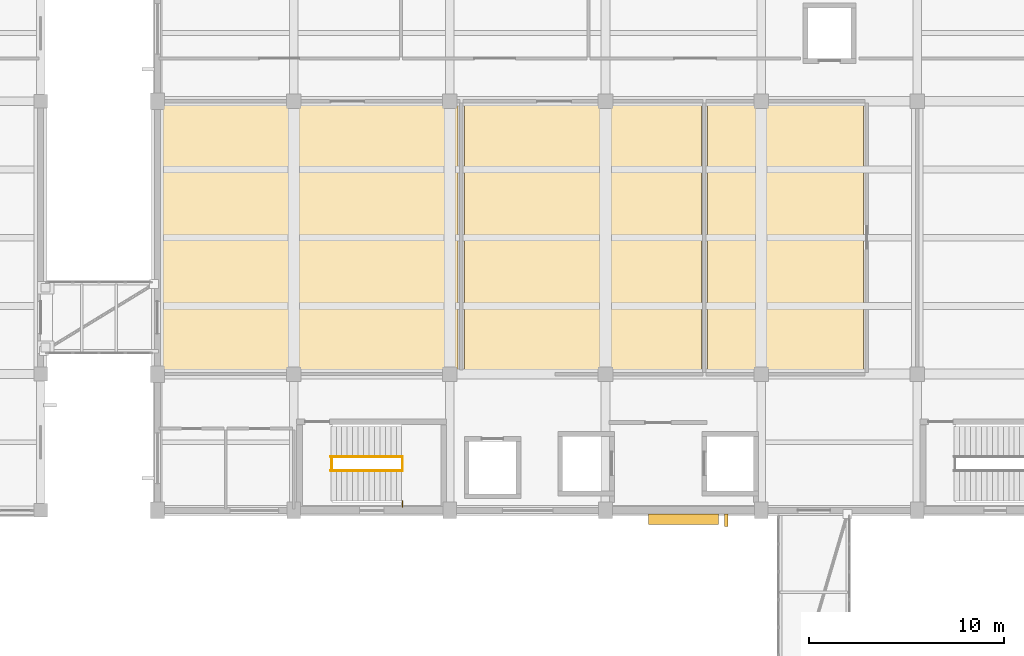
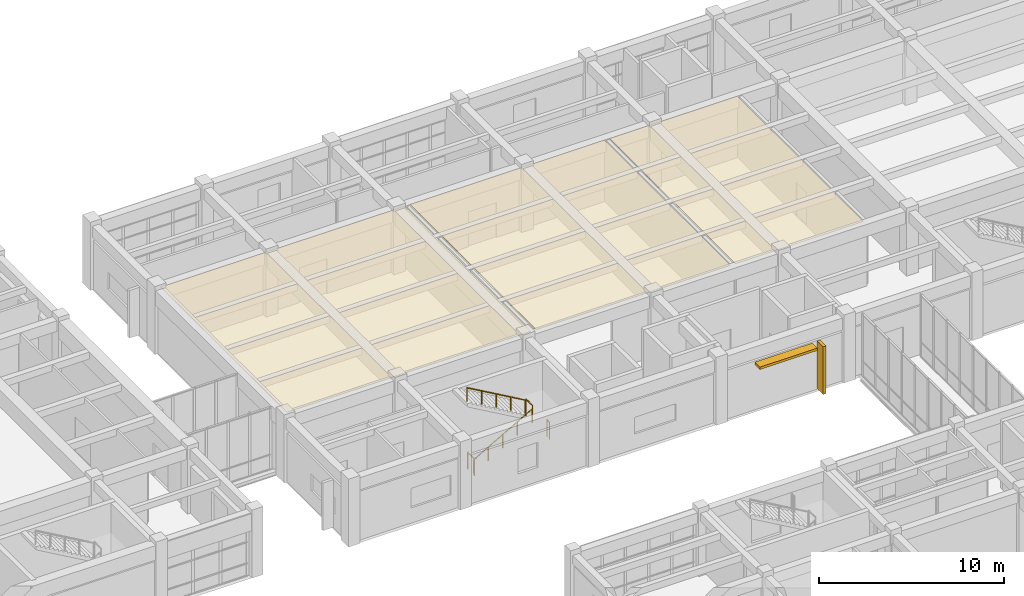
# One storey, part 66 of 70: 5 railings, 3 coverings, 2 shading devices.
"""IFC4 building model written with IfcOpenShell, lengths in metres."""

from ifc_helpers import new_model, si_unit, direction, frame, origin, origin_2d, place, context, subcontext, project, spatial, polyline, rectangle, circle, outline, extrude, material, layer, layer_set, type_object, element, save


model = new_model("IFC4")

# Units and contexts
model_context = context("Model", 3, precision=1e-05, world=origin(), true_north=direction((0.0, 1.0)))
body_context = subcontext(model_context, "Body", "Model", "MODEL_VIEW")
ifc_project = project(units=[si_unit("LENGTHUNIT", "METRE"), si_unit("AREAUNIT", "SQUARE_METRE"), si_unit("VOLUMEUNIT", "CUBIC_METRE"), si_unit("PLANEANGLEUNIT", "RADIAN"), si_unit("MASSUNIT", "GRAM", prefix="KILO")], contexts=[model_context])

# Site, building, storey
site_placement = place(None, origin())
site = spatial("IfcSite", under=ifc_project, at=site_placement, CompositionType="ELEMENT")
building_placement = place(site_placement, origin())
building = spatial("IfcBuilding", under=site, at=building_placement, Name="Naurynzar Civic Courthouse", CompositionType="ELEMENT")
storey_placement = place(building_placement, frame((0.0, 0.0, 5.39990234375)))
storey = spatial("IfcBuildingStorey", under=building, at=storey_placement, Name="L02", CompositionType="ELEMENT", Elevation=5.39990234375)

# Coverings
ifc_material_1 = material(Name="Acoustic Oak Timber Grade A", Category="wood")
ifc_layer_1 = layer(ifc_material_1, 0.044921875)
ifc_layer_set_1 = layer_set([ifc_layer_1], Name="CEIL-ACOUSTIC-OAK-45")
covering_type_1 = type_object("IfcCoveringType", Name="CEIL-ACOUSTIC-OAK-45", PredefinedType="CEILING", material=ifc_layer_set_1)
covering_1_placement = place(storey_placement, frame((0.0, 0.0, 4.114990234375)))
element("IfcCovering", 1, at=covering_1_placement, inside=storey, type_object=covering_type_1, Name="Acoustic suspended ceiling Civil Jury Courtroom 2A", PredefinedType="CEILING", context=body_context, shape_type="SweptSolid", body=[
    extrude(outline(polyline([(77.43994140625, 51.159912109375), (62.159912109375, 51.159912109375), (62.159912109375, 64.840087890625), (77.43994140625, 64.840087890625), (77.43994140625, 51.159912109375)])), origin(), (0.0, 0.0, 1.0), 0.045166015625),
])
covering_2_placement = place(storey_placement, frame((0.0, 0.0, 4.114990234375)))
element("IfcCovering", 2, at=covering_2_placement, inside=storey, type_object=covering_type_1, Name="Acoustic suspended ceiling Civil Trial Courtroom 2B", PredefinedType="CEILING", context=body_context, shape_type="SweptSolid", body=[
    extrude(outline(polyline([(89.919921875, 51.159912109375), (77.760009765625, 51.159912109375), (77.760009765625, 64.840087890625), (89.919921875, 64.840087890625), (89.919921875, 51.159912109375)])), origin(), (0.0, 0.0, 1.0), 0.045166015625),
])
ifc_material_2 = material(Name="Mineral Fibre Acoustic Ceiling")
ifc_layer_2 = layer(ifc_material_2, 0.030029296875)
ifc_layer_set_2 = layer_set([ifc_layer_2], Name="CEIL-MINERAL-30")
covering_type_2 = type_object("IfcCoveringType", Name="CEIL-MINERAL-30", PredefinedType="CEILING", material=ifc_layer_set_2)
covering_3_placement = place(storey_placement, frame((0.0, 0.0, 4.114990234375)))
element("IfcCovering", 3, at=covering_3_placement, inside=storey, type_object=covering_type_2, Name="Acoustic suspended ceiling Jury Room 2A", PredefinedType="CEILING", context=body_context, shape_type="SweptSolid", body=[
    extrude(outline(polyline([(98.239990234375, 51.159912109375), (90.239990234375, 51.159912109375), (90.239990234375, 64.840087890625), (98.239990234375, 64.840087890625), (98.239990234375, 51.159912109375)])), origin(), (0.0, 0.0, 1.0), 0.030029296875),
])

# Railings
ifc_material_3 = material(Name="Brushed Stainless Steel 304", Category="steel")
railing_type_1 = type_object("IfcRailingType", Name="RAIL-BAL-1100", PredefinedType="BALUSTRADE", material=ifc_material_3)
for number, where, name in (
    (4, (70.93994140625, 46.0400390625, 0.0), "Stair ST-V2A floor well slot guard L02"),
    (5, (74.580078125, 46.0400390625, 2.25), "Stair ST-V2A-L02 half-landing well guard"),
):
    element("IfcRailing", number, at=place(storey_placement, frame(where)), inside=storey, type_object=railing_type_1, Name=name, PredefinedType="BALUSTRADE", context=body_context, shape_type="SweptSolid", body=[
        extrude(circle(Radius=0.02392578125, at=origin_2d()), frame((0.0, 0.0, 1.09619140625), z_axis=(0.0, 1.0, 0.0), x_axis=(-1.0, 0.0, 0.0)), (0.0, 0.0, 1.0), 0.719970703125),
        extrude(circle(Radius=0.02099609375, at=origin_2d()), origin(), (0.0, 0.0, 1.0), 1.072021484375),
        extrude(circle(Radius=0.02099609375, at=origin_2d()), frame((0.0, 0.719970703125, 0.0)), (0.0, 0.0, 1.0), 1.072021484375),
    ])
railing_1_placement = place(storey_placement, frame((74.580078125, 44.195068359375, 2.25)))
element("IfcRailing", 6, at=railing_1_placement, inside=storey, type_object=railing_type_1, Name="Stair ST-V2A-L02 half-landing south slot guard", PredefinedType="BALUSTRADE", context=body_context, shape_type="SweptSolid", body=[
    extrude(circle(Radius=0.02392578125, at=origin_2d()), frame((0.0, 0.0, 1.09619140625), z_axis=(0.0, 1.0, 0.0), x_axis=(-1.0, 0.0, 0.0)), (0.0, 0.0, 1.0), 0.284912109375),
    extrude(circle(Radius=0.02099609375, at=origin_2d()), origin(), (0.0, 0.0, 1.0), 1.072021484375),
    extrude(circle(Radius=0.02099609375, at=origin_2d()), frame((0.0, 0.284912109375, 0.0)), (0.0, 0.0, 1.0), 1.072021484375),
])
ifc_material_4 = material(Name="Brushed Stainless Steel 304", Category="steel")
railing_type_2 = type_object("IfcRailingType", Name="RAIL-HR-900", PredefinedType="HANDRAIL", material=ifc_material_4)
railing_2_placement = place(storey_placement, frame((70.89990234375, 46.0400390625, 0.160888671875)))
element("IfcRailing", 7, at=railing_2_placement, inside=storey, type_object=railing_type_2, Name="Stair ST-V2A-L02 flight 1 handrail", PredefinedType="HANDRAIL", context=body_context, shape_type="SweptSolid", body=[
    extrude(circle(Radius=0.02392578125, at=origin_2d()), frame((0.0, 0.0, 0.8759765625), z_axis=(0.867314486057, 0.0, 0.497760567216), x_axis=(0.0, 1.0, 0.0)), (0.0, 0.0, 1.0), 4.197021484375),
    extrude(circle(Radius=0.02099609375, at=origin_2d()), origin(), (0.0, 0.0, 1.0), 0.851806640625),
    extrude(circle(Radius=0.02099609375, at=origin_2d()), frame((0.91015625, 0.0, 0.522216796875)), (0.0, 0.0, 1.0), 0.851806640625),
    extrude(circle(Radius=0.02099609375, at=origin_2d()), frame((1.820068359375, 0.0, 1.04443359375)), (0.0, 0.0, 1.0), 0.851806640625),
    extrude(circle(Radius=0.02099609375, at=origin_2d()), frame((2.72998046875, 0.0, 1.56689453125)), (0.0, 0.0, 1.0), 0.851806640625),
    extrude(circle(Radius=0.02099609375, at=origin_2d()), frame((3.64013671875, 0.0, 2.089111328125)), (0.0, 0.0, 1.0), 0.851806640625),
])
railing_3_placement = place(storey_placement, frame((74.5400390625, 46.760009765625, 2.410888671875)))
element("IfcRailing", 8, at=railing_3_placement, inside=storey, type_object=railing_type_2, Name="Stair ST-V2A-L02 flight 2 handrail", PredefinedType="HANDRAIL", context=body_context, shape_type="SweptSolid", body=[
    extrude(circle(Radius=0.02392578125, at=origin_2d()), frame((0.0, 0.0, 0.8759765625), z_axis=(-0.867314486057, 0.0, 0.497760567216), x_axis=(0.0, -1.0, 0.0)), (0.0, 0.0, 1.0), 4.197021484375),
    extrude(circle(Radius=0.02099609375, at=origin_2d()), origin(), (0.0, 0.0, 1.0), 0.851806640625),
    extrude(circle(Radius=0.02099609375, at=origin_2d()), frame((-0.91015625, 0.0, 0.522216796875)), (0.0, 0.0, 1.0), 0.851806640625),
    extrude(circle(Radius=0.02099609375, at=origin_2d()), frame((-1.820068359375, 0.0, 1.04443359375)), (0.0, 0.0, 1.0), 0.851806640625),
    extrude(circle(Radius=0.02099609375, at=origin_2d()), frame((-2.72998046875, 0.0, 1.56689453125)), (0.0, 0.0, 1.0), 0.851806640625),
    extrude(circle(Radius=0.02099609375, at=origin_2d()), frame((-3.64013671875, 0.0, 2.089111328125)), (0.0, 0.0, 1.0), 0.851806640625),
])

# Shading devices
ifc_material_5 = material(Name="Precast concrete C40/50", Category="concrete")
shading_device_type_1 = type_object("IfcShadingDeviceType", Name="SHD-FIN-V650", PredefinedType="JALOUSIE", material=ifc_material_5)
shading_device_1_placement = place(storey_placement, frame((91.18994140625, 43.489990234375, 0.0400390625), z_axis=(0.0, 0.0, 1.0), x_axis=(-1.0, 0.0, 0.0)))
element("IfcShadingDevice", 9, at=shading_device_1_placement, inside=storey, type_object=shading_device_type_1, Name="V2 vertical brise-soleil fin 11", PredefinedType="JALOUSIE", context=body_context, shape_type="SweptSolid", body=[
    extrude(rectangle(XDim=0.179931640625, YDim=0.64990234375, at=origin_2d()), origin(), (0.0, 0.0, 1.0), 3.14990234375),
])
ifc_material_6 = material(Name="Precast concrete C40/50", Category="concrete")
shading_device_type_2 = type_object("IfcShadingDeviceType", Name="SHD-LOUV-H550", PredefinedType="SHUTTER", material=ifc_material_6)
shading_device_2_placement = place(storey_placement, frame((89.0, 43.5400390625, 2.990234375), z_axis=(0.0, 0.0, 1.0), x_axis=(-1.0, 0.0, 0.0)))
element("IfcShadingDevice", 10, at=shading_device_2_placement, inside=storey, type_object=shading_device_type_2, Name="V2 horizontal solar sun-breaker 11", PredefinedType="SHUTTER", context=body_context, shape_type="SweptSolid", body=[
    extrude(rectangle(XDim=3.60009765625, YDim=0.550048828125, at=origin_2d()), origin(), (0.0, 0.0, 1.0), 0.159912109375),
])

save(model, "model.ifc")
